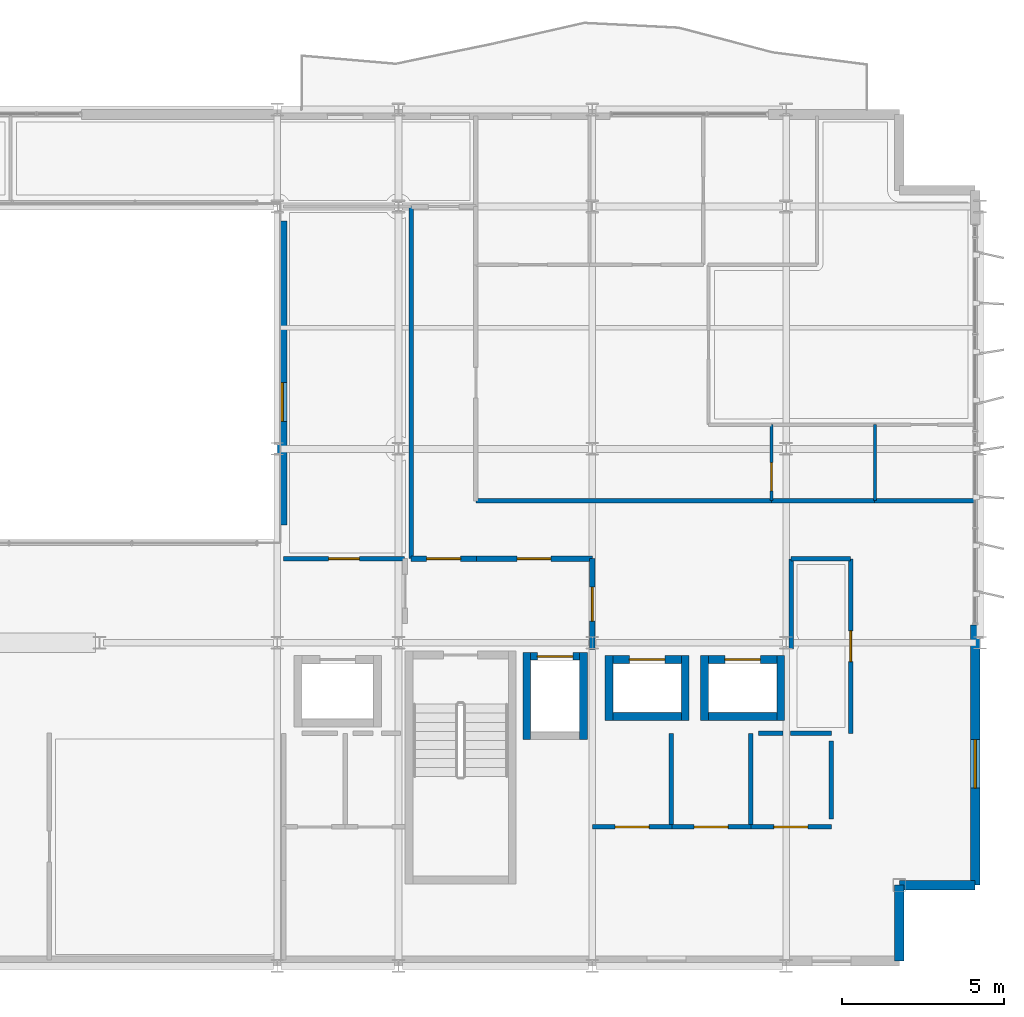
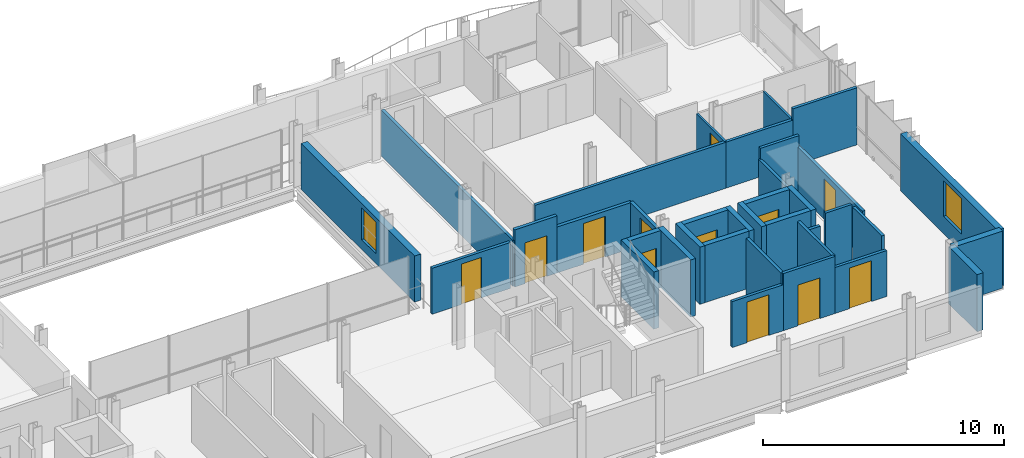
# One storey, part 31 of 38: 36 walls, 12 doors, 2 windows, 14 openings.
"""IFC4 building model written with IfcOpenShell, lengths in metres."""

from ifc_helpers import new_model, si_unit, direction, frame, frame_2d, origin, place, context, subcontext, project, spatial, rectangle, extrude, material, layer, layer_set, type_object, element, fill, save


model = new_model("IFC4")

# Units and contexts
model_context = context("Model", 3, precision=1e-05, world=origin(), true_north=direction((0.0, 1.0)))
body_context = subcontext(model_context, "Body", "Model", "MODEL_VIEW")
ifc_project = project(units=[si_unit("LENGTHUNIT", "METRE"), si_unit("AREAUNIT", "SQUARE_METRE"), si_unit("VOLUMEUNIT", "CUBIC_METRE"), si_unit("PLANEANGLEUNIT", "RADIAN"), si_unit("MASSUNIT", "GRAM", prefix="KILO")], contexts=[model_context])

# Site, building, storey
site_placement = place(None, origin())
site = spatial("IfcSite", under=ifc_project, at=site_placement, CompositionType="ELEMENT")
building_placement = place(site_placement, origin())
building = spatial("IfcBuilding", under=site, at=building_placement, Name="Brevholm Reach", CompositionType="ELEMENT")
storey_placement = place(building_placement, frame((0.0, 0.0, 186.300048828125)))
storey = spatial("IfcBuildingStorey", under=building, at=storey_placement, Name="L56", CompositionType="ELEMENT", Elevation=186.300048828125)

# Walls
ifc_material_1 = material(Name="Concrete C45/55", Category="concrete")
ifc_layer_1 = layer(ifc_material_1, 0.239990234375)
ifc_layer_set_1 = layer_set([ifc_layer_1], Name="Concrete C45/55")
wall_type_1 = type_object("IfcWallType", Name="WAL-COR-240", PredefinedType="SHEAR", material=ifc_layer_set_1)
for number, where, z_axis, x_axis, name in (
    (1, (45.969970703125, 7.0, 0.0), (0.0, 0.0, 1.0), (0.0, 1.0, 0.0), "L56 Lift FFL-2 Shaft Wall W"),
    (2, (47.72998046875, 7.0, 0.0), (0.0, 0.0, 1.0), (0.0, 1.0, 0.0), "L56 Lift FFL-2 Shaft Wall E"),
):
    element("IfcWall", number, at=place(storey_placement, frame(where, z_axis=z_axis, x_axis=x_axis)), inside=storey, type_object=wall_type_1, Name=name, PredefinedType="SHEAR", context=body_context, shape_type="SweptSolid", body=[
        extrude(rectangle(XDim=2.699951171875, YDim=0.239990234375, at=frame_2d((1.35009765625, 0.0))), origin(), (0.0, 0.0, 1.0), 2.889892578125),
    ])

# Wall, opening, door
wall_1_placement = place(storey_placement, frame((46.090087890625, 9.580078125, 0.0), z_axis=(0.0, 0.0, 1.0), x_axis=(1.0, 0.0, 0.0)))
wall_1 = element("IfcWall", 3, at=wall_1_placement, inside=storey, type_object=wall_type_1, Name="L56 Lift FFL-2 Shaft Wall N", PredefinedType="SHEAR", context=body_context, shape_type="SweptSolid", body=[
    extrude(rectangle(XDim=1.52001953125, YDim=0.239990234375, at=frame_2d((0.760009765625, 0.0))), origin(), (0.0, 0.0, 1.0), 2.889892578125),
])
opening_1_placement = place(wall_1_placement, frame((0.2099609375, 0.0, 0.0)))
opening_1 = element("IfcOpeningElement", 4, at=opening_1_placement, cuts=wall_1, Name="Opening LD-FFL-2", PredefinedType="OPENING", context=body_context, shape_type="SweptSolid", body=[
    extrude(rectangle(XDim=1.10009765625, YDim=2.06005859375, at=frame_2d((0.550048828125, 1.030029296875))), frame((0.0, 0.1298828125, 0.0), z_axis=(0.0, -1.0, 0.0), x_axis=(1.0, 0.0, 0.0)), (0.0, 0.0, 1.0), 0.260009765625),
])
ifc_material_2 = material(Name="Brushed Stainless Steel Fire-Rated Sliding Lift Door", Category="steel")
door_type_1 = type_object("IfcDoorType", Name="DOR-LFT-1100", OperationType="NOTDEFINED", PredefinedType="DOOR", material=ifc_material_2)
door_1_placement = place(opening_1_placement, origin())
door_1 = element("IfcDoor", 5, at=door_1_placement, inside=storey, type_object=door_type_1, Name="L56 Lift FFL-2 Sliding Landing Door", OperationType="SLIDING_TO_LEFT", OverallHeight=2.06005859375, OverallWidth=1.10009765625, PredefinedType="DOOR", context=body_context, shape_type="SweptSolid", body=[
    extrude(rectangle(XDim=1.10009765625, YDim=2.06005859375, at=frame_2d((0.550048828125, 1.030029296875))), frame((0.0, 0.02490234375, 0.0), z_axis=(0.0, -1.0, 0.0), x_axis=(1.0, 0.0, 0.0)), (0.0, 0.0, 1.0), 0.050048828125),
])
fill(opening_1, door_1)

# Walls
for number, where, z_axis, x_axis, name in (
    (6, (48.52001953125, 7.60009765625, 0.0), (0.0, 0.0, 1.0), (0.0, 1.0, 0.0), "L56 Lift PL-H1 Shaft Wall W"),
    (7, (50.8798828125, 7.60009765625, 0.0), (0.0, 0.0, 1.0), (0.0, 1.0, 0.0), "L56 Lift PL-H1 Shaft Wall E"),
):
    element("IfcWall", number, at=place(storey_placement, frame(where, z_axis=z_axis, x_axis=x_axis)), inside=storey, type_object=wall_type_1, Name=name, PredefinedType="SHEAR", context=body_context, shape_type="SweptSolid", body=[
        extrude(rectangle(XDim=2.0, YDim=0.239990234375, at=frame_2d((1.0, 0.0))), origin(), (0.0, 0.0, 1.0), 2.889892578125),
    ])
wall_2_placement = place(storey_placement, frame((48.639892578125, 7.719970703125, 0.0), z_axis=(0.0, 0.0, 1.0), x_axis=(1.0, 0.0, 0.0)))
element("IfcWall", 8, at=wall_2_placement, inside=storey, type_object=wall_type_1, Name="L56 Lift PL-H1 Shaft Wall S", PredefinedType="SHEAR", context=body_context, shape_type="SweptSolid", body=[
    extrude(rectangle(XDim=2.1201171875, YDim=0.239990234375, at=frame_2d((1.06005859375, 0.0))), origin(), (0.0, 0.0, 1.0), 2.889892578125),
])

# Wall, opening, door
wall_3_placement = place(storey_placement, frame((48.639892578125, 9.47998046875, 0.0), z_axis=(0.0, 0.0, 1.0), x_axis=(1.0, 0.0, 0.0)))
wall_3 = element("IfcWall", 9, at=wall_3_placement, inside=storey, type_object=wall_type_1, Name="L56 Lift PL-H1 Shaft Wall N", PredefinedType="SHEAR", context=body_context, shape_type="SweptSolid", body=[
    extrude(rectangle(XDim=2.1201171875, YDim=0.239990234375, at=frame_2d((1.06005859375, 0.0))), origin(), (0.0, 0.0, 1.0), 2.889892578125),
])
opening_2_placement = place(wall_3_placement, frame((0.510009765625, 0.0, 0.0)))
opening_2 = element("IfcOpeningElement", 10, at=opening_2_placement, cuts=wall_3, Name="Opening LD-PL-H1", PredefinedType="OPENING", context=body_context, shape_type="SweptSolid", body=[
    extrude(rectangle(XDim=1.10009765625, YDim=2.06005859375, at=frame_2d((0.550048828125, 1.030029296875))), frame((0.0, 0.1298828125, 0.0), z_axis=(0.0, -1.0, 0.0), x_axis=(1.0, 0.0, 0.0)), (0.0, 0.0, 1.0), 0.260009765625),
])
door_2_placement = place(opening_2_placement, origin())
door_2 = element("IfcDoor", 11, at=door_2_placement, inside=storey, type_object=door_type_1, Name="L56 Lift PL-H1 Sliding Landing Door", OperationType="SLIDING_TO_LEFT", OverallHeight=2.06005859375, OverallWidth=1.10009765625, PredefinedType="DOOR", context=body_context, shape_type="SweptSolid", body=[
    extrude(rectangle(XDim=1.10009765625, YDim=2.06005859375, at=frame_2d((0.550048828125, 1.030029296875))), frame((0.0, 0.02490234375, 0.0), z_axis=(0.0, -1.0, 0.0), x_axis=(1.0, 0.0, 0.0)), (0.0, 0.0, 1.0), 0.050048828125),
])
fill(opening_2, door_2)

# Walls
for number, where, z_axis, x_axis, name in (
    (12, (51.469970703125, 7.60009765625, 0.0), (0.0, 0.0, 1.0), (0.0, 1.0, 0.0), "L56 Lift PL-H2 Shaft Wall W"),
    (13, (53.830078125, 7.60009765625, 0.0), (0.0, 0.0, 1.0), (0.0, 1.0, 0.0), "L56 Lift PL-H2 Shaft Wall E"),
):
    element("IfcWall", number, at=place(storey_placement, frame(where, z_axis=z_axis, x_axis=x_axis)), inside=storey, type_object=wall_type_1, Name=name, PredefinedType="SHEAR", context=body_context, shape_type="SweptSolid", body=[
        extrude(rectangle(XDim=2.0, YDim=0.239990234375, at=frame_2d((1.0, 0.0))), origin(), (0.0, 0.0, 1.0), 2.889892578125),
    ])
wall_4_placement = place(storey_placement, frame((51.590087890625, 7.719970703125, 0.0), z_axis=(0.0, 0.0, 1.0), x_axis=(1.0, 0.0, 0.0)))
element("IfcWall", 14, at=wall_4_placement, inside=storey, type_object=wall_type_1, Name="L56 Lift PL-H2 Shaft Wall S", PredefinedType="SHEAR", context=body_context, shape_type="SweptSolid", body=[
    extrude(rectangle(XDim=2.119873046875, YDim=0.239990234375, at=frame_2d((1.06005859375, 0.0))), origin(), (0.0, 0.0, 1.0), 2.889892578125),
])

# Wall, opening, door
wall_5_placement = place(storey_placement, frame((51.590087890625, 9.47998046875, 0.0), z_axis=(0.0, 0.0, 1.0), x_axis=(1.0, 0.0, 0.0)))
wall_5 = element("IfcWall", 15, at=wall_5_placement, inside=storey, type_object=wall_type_1, Name="L56 Lift PL-H2 Shaft Wall N", PredefinedType="SHEAR", context=body_context, shape_type="SweptSolid", body=[
    extrude(rectangle(XDim=2.119873046875, YDim=0.239990234375, at=frame_2d((1.06005859375, 0.0))), origin(), (0.0, 0.0, 1.0), 2.889892578125),
])
opening_3_placement = place(wall_5_placement, frame((0.510009765625, 0.0, 0.0)))
opening_3 = element("IfcOpeningElement", 16, at=opening_3_placement, cuts=wall_5, Name="Opening LD-PL-H2", PredefinedType="OPENING", context=body_context, shape_type="SweptSolid", body=[
    extrude(rectangle(XDim=1.10009765625, YDim=2.06005859375, at=frame_2d((0.550048828125, 1.030029296875))), frame((0.0, 0.1298828125, 0.0), z_axis=(0.0, -1.0, 0.0), x_axis=(1.0, 0.0, 0.0)), (0.0, 0.0, 1.0), 0.260009765625),
])
door_3_placement = place(opening_3_placement, origin())
door_3 = element("IfcDoor", 17, at=door_3_placement, inside=storey, type_object=door_type_1, Name="L56 Lift PL-H2 Sliding Landing Door", OperationType="SLIDING_TO_RIGHT", OverallHeight=2.06005859375, OverallWidth=1.10009765625, PredefinedType="DOOR", context=body_context, shape_type="SweptSolid", body=[
    extrude(rectangle(XDim=1.10009765625, YDim=2.06005859375, at=frame_2d((0.550048828125, 1.030029296875))), frame((0.0, 0.02490234375, 0.0), z_axis=(0.0, -1.0, 0.0), x_axis=(1.0, 0.0, 0.0)), (0.0, 0.0, 1.0), 0.050048828125),
])
fill(opening_3, door_3)

# Walls
ifc_material_3 = material(Name="Concrete C40/50", Category="concrete")
ifc_layer_2 = layer(ifc_material_3, 0.300048828125)
ifc_layer_set_2 = layer_set([ifc_layer_2], Name="Concrete C40/50")
wall_type_2 = type_object("IfcWallType", Name="WAL-EXT-300", PredefinedType="STANDARD", material=ifc_layer_set_2)
for number, where, z_axis, x_axis, name in (
    (18, (57.5, 0.14990234375, 0.0), (0.0, 0.0, 1.0), (0.0, 1.0, 0.0), "L56 Facade Wall WAL-L56-CSE1"),
    (19, (57.5, 2.5, 0.0), (0.0, 0.0, 1.0), (1.0, 0.0, 0.0), "L56 Facade Wall WAL-L56-CSE2"),
):
    element("IfcWall", number, at=place(storey_placement, frame(where, z_axis=z_axis, x_axis=x_axis)), inside=storey, type_object=wall_type_2, Name=name, PredefinedType="STANDARD", context=body_context, shape_type="SweptSolid", body=[
        extrude(rectangle(XDim=2.35009765625, YDim=0.300048828125, at=frame_2d((1.175048828125, 0.0))), origin(), (0.0, 0.0, 1.0), 2.889892578125),
    ])

# Wall, opening, window
wall_6_placement = place(storey_placement, frame((59.85009765625, 2.5, 0.0), z_axis=(0.0, 0.0, 1.0), x_axis=(0.0, 1.0, 0.0)))
wall_6 = element("IfcWall", 20, at=wall_6_placement, inside=storey, type_object=wall_type_2, Name="L56 Facade Wall WAL-L56-E-S", PredefinedType="STANDARD", context=body_context, shape_type="SweptSolid", body=[
    extrude(rectangle(XDim=8.050048828125, YDim=0.300048828125, at=frame_2d((4.02490234375, 0.0))), origin(), (0.0, 0.0, 1.0), 2.889892578125),
])
opening_4_placement = place(wall_6_placement, frame((3.0, 0.0, 0.8701171875)))
opening_4 = element("IfcOpeningElement", 21, at=opening_4_placement, cuts=wall_6, Name="Opening WN-05", PredefinedType="OPENING", context=body_context, shape_type="SweptSolid", body=[
    extrude(rectangle(XDim=1.5, YDim=1.800048828125, at=frame_2d((0.75, 0.89990234375))), frame((0.0, 0.159912109375, 0.0), z_axis=(0.0, -1.0, 0.0), x_axis=(1.0, 0.0, 0.0)), (0.0, 0.0, 1.0), 0.320068359375),
])
ifc_material_4 = material(Name="Dark Anodised Aluminium and Solar-Control IGU Glass", Category="aluminium")
window_type_1 = type_object("IfcWindowType", Name="WIN-RES-1500", PartitioningType="SINGLE_PANEL", PredefinedType="WINDOW", material=ifc_material_4)
window_1_placement = place(opening_4_placement, origin())
window_1 = element("IfcWindow", 22, at=window_1_placement, inside=storey, type_object=window_type_1, Name="L56 Window WIN-L56-ES-1", OverallHeight=1.800048828125, OverallWidth=1.5, PartitioningType="SINGLE_PANEL", PredefinedType="WINDOW", context=body_context, shape_type="SweptSolid", body=[
    extrude(rectangle(XDim=1.5, YDim=1.800048828125, at=frame_2d((0.75, 0.89990234375))), frame((0.0, 0.030029296875, 0.0), z_axis=(0.0, -1.0, 0.0), x_axis=(1.0, 0.0, 0.0)), (0.0, 0.0, 1.0), 0.06005859375),
])
fill(opening_4, window_1)

wall_7_placement = place(storey_placement, frame((38.39990234375, 13.64990234375, 0.0), z_axis=(0.0, 0.0, 1.0), x_axis=(0.0, 1.0, 0.0)))
wall_7 = element("IfcWall", 23, at=wall_7_placement, inside=storey, type_object=wall_type_2, Name="L56 Facade Wall WAL-L56-AT-E", PredefinedType="STANDARD", context=body_context, shape_type="SweptSolid", body=[
    extrude(rectangle(XDim=9.400146484375, YDim=0.300048828125, at=frame_2d((4.7001953125, 0.0))), origin(), (0.0, 0.0, 1.0), 2.331787109375),
])
opening_5_placement = place(wall_7_placement, frame((3.199951171875, 0.0, 0.5)))
opening_5 = element("IfcOpeningElement", 24, at=opening_5_placement, cuts=wall_7, Name="Opening WN-08", PredefinedType="OPENING", context=body_context, shape_type="SweptSolid", body=[
    extrude(rectangle(XDim=1.199951171875, YDim=1.60009765625, at=frame_2d((0.60009765625, 0.800048828125))), frame((0.0, 0.159912109375, 0.0), z_axis=(0.0, -1.0, 0.0), x_axis=(1.0, 0.0, 0.0)), (0.0, 0.0, 1.0), 0.320068359375),
])
ifc_material_5 = material(Name="Dark Anodised Aluminium and Solar-Control IGU Glass", Category="aluminium")
window_type_2 = type_object("IfcWindowType", Name="WIN-RES-1200", PartitioningType="SINGLE_PANEL", PredefinedType="WINDOW", material=ifc_material_5)
window_2_placement = place(opening_5_placement, origin())
window_2 = element("IfcWindow", 25, at=window_2_placement, inside=storey, type_object=window_type_2, Name="L56 Window WIN-L56-AT-E1", OverallHeight=1.60009765625, OverallWidth=1.199951171875, PartitioningType="SINGLE_PANEL", PredefinedType="WINDOW", context=body_context, shape_type="SweptSolid", body=[
    extrude(rectangle(XDim=1.199951171875, YDim=1.60009765625, at=frame_2d((0.60009765625, 0.800048828125))), frame((0.0, 0.030029296875, 0.0), z_axis=(0.0, -1.0, 0.0), x_axis=(1.0, 0.0, 0.0)), (0.0, 0.0, 1.0), 0.06005859375),
])
fill(opening_5, window_2)

# Wall
ifc_material_6 = material(Name="Moisture-Resistant Acoustic Gypsum Stud Partition 100 mm", Category="gypsum")
ifc_layer_3 = layer(ifc_material_6, 0.10009765625)
ifc_layer_set_3 = layer_set([ifc_layer_3], Name="Moisture-Resistant Acoustic Gypsum Stud Partition 100 mm")
wall_type_3 = type_object("IfcWallType", Name="WAL-PRT-100", PredefinedType="PARTITIONING", material=ifc_layer_set_3)
wall_8_placement = place(storey_placement, frame((56.75, 14.404052734375, 0.0), z_axis=(0.0, 0.0, 1.0), x_axis=(0.0, 1.0, 0.0)))
element("IfcWall", 26, at=wall_8_placement, inside=storey, type_object=wall_type_3, Name="L56 Internal Partition 088", PredefinedType="PARTITIONING", context=body_context, shape_type="SweptSolid", body=[
    extrude(rectangle(XDim=2.345947265625, YDim=0.10009765625, at=frame_2d((1.1728515625, 0.0))), origin(), (0.0, 0.0, 1.0), 2.325439453125),
])

# Wall, opening, door
wall_9_placement = place(storey_placement, frame((53.550048828125, 14.404052734375, 0.0), z_axis=(0.0, 0.0, 1.0), x_axis=(0.0, 1.0, 0.0)))
wall_9 = element("IfcWall", 27, at=wall_9_placement, inside=storey, type_object=wall_type_3, Name="L56 Internal Partition 091", PredefinedType="PARTITIONING", context=body_context, shape_type="SweptSolid", body=[
    extrude(rectangle(XDim=2.345947265625, YDim=0.10009765625, at=frame_2d((1.1728515625, 0.0))), origin(), (0.0, 0.0, 1.0), 2.325439453125),
])
opening_6_placement = place(wall_9_placement, frame((0.29296875, 0.0, 0.0)))
opening_6 = element("IfcOpeningElement", 28, at=opening_6_placement, cuts=wall_9, Name="Opening ID-01", PredefinedType="OPENING", context=body_context, shape_type="SweptSolid", body=[
    extrude(rectangle(XDim=0.8798828125, YDim=2.0400390625, at=frame_2d((0.43994140625, 1.02001953125))), frame((0.0, 0.06005859375, 0.0), z_axis=(0.0, -1.0, 0.0), x_axis=(1.0, 0.0, 0.0)), (0.0, 0.0, 1.0), 0.1201171875),
])
ifc_material_7 = material(Name="Lacquered Ash Solid-Core Acoustic Internal Door", Category="timber")
door_type_2 = type_object("IfcDoorType", Name="DOR-INT-880", OperationType="NOTDEFINED", PredefinedType="DOOR", material=ifc_material_7)
door_4_placement = place(opening_6_placement, origin())
door_4 = element("IfcDoor", 29, at=door_4_placement, inside=storey, type_object=door_type_2, Name="L56 Internal Door 039", OperationType="SINGLE_SWING_RIGHT", OverallHeight=2.0400390625, OverallWidth=0.8798828125, PredefinedType="DOOR", context=body_context, shape_type="SweptSolid", body=[
    extrude(rectangle(XDim=0.8798828125, YDim=2.0400390625, at=frame_2d((0.43994140625, 1.02001953125))), frame((0.0, 0.02490234375, 0.0), z_axis=(0.0, -1.0, 0.0), x_axis=(1.0, 0.0, 0.0)), (0.0, 0.0, 1.0), 0.050048828125),
])
fill(opening_6, door_4)

ifc_material_8 = material(Name="Twin-Stud Acoustic Fire-Rated Gypsum Partition 140 mm", Category="gypsum")
ifc_layer_4 = layer(ifc_material_8, 0.139892578125)
ifc_layer_set_4 = layer_set([ifc_layer_4], Name="Twin-Stud Acoustic Fire-Rated Gypsum Partition 140 mm")
wall_type_4 = type_object("IfcWallType", Name="WAL-PRT-140", PredefinedType="PARTITIONING", material=ifc_layer_set_4)
wall_10_placement = place(storey_placement, frame((56.0, 7.188720703125, 0.0), z_axis=(0.0, 0.0, 1.0), x_axis=(0.0, 1.0, 0.0)))
wall_10 = element("IfcWall", 30, at=wall_10_placement, inside=storey, type_object=wall_type_4, Name="L56 Internal Partition 013", PredefinedType="PARTITIONING", context=body_context, shape_type="SweptSolid", body=[
    extrude(rectangle(XDim=5.411376953125, YDim=0.139892578125, at=frame_2d((2.70556640625, 0.0))), origin(), (0.0, 0.0, 1.0), 2.325439453125),
])
opening_7_placement = place(wall_10_placement, frame((2.230712890625, 0.0, 0.0)))
opening_7 = element("IfcOpeningElement", 31, at=opening_7_placement, cuts=wall_10, Name="Opening ID-30", PredefinedType="OPENING", context=body_context, shape_type="SweptSolid", body=[
    extrude(rectangle(XDim=0.949951171875, YDim=2.050048828125, at=frame_2d((0.47509765625, 1.02490234375))), frame((0.0, 0.079833984375, 0.0), z_axis=(0.0, -1.0, 0.0), x_axis=(1.0, 0.0, 0.0)), (0.0, 0.0, 1.0), 0.159912109375),
])
ifc_material_9 = material(Name="European Oak Veneered Solid-Core Fire Entrance Door", Category="timber")
door_type_3 = type_object("IfcDoorType", Name="DOR-FLT-FD30S", OperationType="NOTDEFINED", PredefinedType="DOOR", material=ifc_material_9)
door_5_placement = place(opening_7_placement, origin())
door_5 = element("IfcDoor", 32, at=door_5_placement, inside=storey, type_object=door_type_3, Name="L56 Internal Door 006", OperationType="SINGLE_SWING_LEFT", OverallHeight=2.050048828125, OverallWidth=0.949951171875, PredefinedType="DOOR", context=body_context, shape_type="SweptSolid", body=[
    extrude(rectangle(XDim=0.949951171875, YDim=2.050048828125, at=frame_2d((0.47509765625, 1.02490234375))), frame((0.0, 0.02490234375, 0.0), z_axis=(0.0, -1.0, 0.0), x_axis=(1.0, 0.0, 0.0)), (0.0, 0.0, 1.0), 0.050048828125),
])
fill(opening_7, door_5)

wall_11_placement = place(storey_placement, frame((48.0, 4.300048828125, 0.0), z_axis=(0.0, 0.0, 1.0), x_axis=(1.0, 0.0, 0.0)))
wall_11 = element("IfcWall", 33, at=wall_11_placement, inside=storey, type_object=wall_type_4, Name="L56 Internal Partition 021", PredefinedType="PARTITIONING", context=body_context, shape_type="SweptSolid", body=[
    extrude(rectangle(XDim=2.461181640625, YDim=0.139892578125, at=frame_2d((1.23046875, 0.0))), origin(), (0.0, 0.0, 1.0), 2.325439453125),
])
opening_8_placement = place(wall_11_placement, frame((0.705810546875, 0.0, 0.0)))
opening_8 = element("IfcOpeningElement", 34, at=opening_8_placement, cuts=wall_11, Name="Opening FD-01", PredefinedType="OPENING", context=body_context, shape_type="SweptSolid", body=[
    extrude(rectangle(XDim=1.050048828125, YDim=2.06005859375, at=frame_2d((0.52490234375, 1.030029296875))), frame((0.0, 0.079833984375, 0.0), z_axis=(0.0, -1.0, 0.0), x_axis=(1.0, 0.0, 0.0)), (0.0, 0.0, 1.0), 0.159912109375),
])
ifc_material_10 = material(Name="Hardwood-Lipped Steel-Core Fire and Smoke Door", Category="steel")
door_type_4 = type_object("IfcDoorType", Name="DOR-INT-FD60S", OperationType="NOTDEFINED", PredefinedType="DOOR", material=ifc_material_10)
door_6_placement = place(opening_8_placement, origin())
door_6 = element("IfcDoor", 35, at=door_6_placement, inside=storey, type_object=door_type_4, Name="L56 Internal Door 010", OperationType="SINGLE_SWING_LEFT", OverallHeight=2.06005859375, OverallWidth=1.050048828125, PredefinedType="DOOR", context=body_context, shape_type="SweptSolid", body=[
    extrude(rectangle(XDim=1.050048828125, YDim=2.06005859375, at=frame_2d((0.52490234375, 1.030029296875))), frame((0.0, 0.02490234375, 0.0), z_axis=(0.0, -1.0, 0.0), x_axis=(1.0, 0.0, 0.0)), (0.0, 0.0, 1.0), 0.050048828125),
])
fill(opening_8, door_6)

wall_12_placement = place(storey_placement, frame((50.442626953125, 4.300048828125, 0.0), z_axis=(0.0, 0.0, 1.0), x_axis=(1.0, 0.0, 0.0)))
wall_12 = element("IfcWall", 36, at=wall_12_placement, inside=storey, type_object=wall_type_4, Name="L56 Internal Partition 022", PredefinedType="PARTITIONING", context=body_context, shape_type="SweptSolid", body=[
    extrude(rectangle(XDim=2.46875, YDim=0.139892578125, at=frame_2d((1.234375, 0.0))), origin(), (0.0, 0.0, 1.0), 2.889892578125),
])
opening_9_placement = place(wall_12_placement, frame((0.709228515625, 0.0, 0.0)))
opening_9 = element("IfcOpeningElement", 37, at=opening_9_placement, cuts=wall_12, Name="Opening FD-01", PredefinedType="OPENING", context=body_context, shape_type="SweptSolid", body=[
    extrude(rectangle(XDim=1.050048828125, YDim=2.06005859375, at=frame_2d((0.52490234375, 1.030029296875))), frame((0.0, 0.079833984375, 0.0), z_axis=(0.0, -1.0, 0.0), x_axis=(1.0, 0.0, 0.0)), (0.0, 0.0, 1.0), 0.159912109375),
])
door_7_placement = place(opening_9_placement, origin())
door_7 = element("IfcDoor", 38, at=door_7_placement, inside=storey, type_object=door_type_4, Name="L56 Internal Door 011", OperationType="SINGLE_SWING_RIGHT", OverallHeight=2.06005859375, OverallWidth=1.050048828125, PredefinedType="DOOR", context=body_context, shape_type="SweptSolid", body=[
    extrude(rectangle(XDim=1.050048828125, YDim=2.06005859375, at=frame_2d((0.52490234375, 1.030029296875))), frame((0.0, 0.02490234375, 0.0), z_axis=(0.0, -1.0, 0.0), x_axis=(1.0, 0.0, 0.0)), (0.0, 0.0, 1.0), 0.050048828125),
])
fill(opening_9, door_7)

wall_13_placement = place(storey_placement, frame((52.892578125, 4.300048828125, 0.0), z_axis=(0.0, 0.0, 1.0), x_axis=(1.0, 0.0, 0.0)))
wall_13 = element("IfcWall", 39, at=wall_13_placement, inside=storey, type_object=wall_type_4, Name="L56 Internal Partition 023", PredefinedType="PARTITIONING", context=body_context, shape_type="SweptSolid", body=[
    extrude(rectangle(XDim=2.50732421875, YDim=0.139892578125, at=frame_2d((1.253662109375, 0.0))), origin(), (0.0, 0.0, 1.0), 2.325439453125),
])
opening_10_placement = place(wall_13_placement, frame((0.728759765625, 0.0, 0.0)))
opening_10 = element("IfcOpeningElement", 40, at=opening_10_placement, cuts=wall_13, Name="Opening FD-01", PredefinedType="OPENING", context=body_context, shape_type="SweptSolid", body=[
    extrude(rectangle(XDim=1.050048828125, YDim=2.06005859375, at=frame_2d((0.52490234375, 1.030029296875))), frame((0.0, 0.079833984375, 0.0), z_axis=(0.0, -1.0, 0.0), x_axis=(1.0, 0.0, 0.0)), (0.0, 0.0, 1.0), 0.159912109375),
])
door_8_placement = place(opening_10_placement, origin())
door_8 = element("IfcDoor", 41, at=door_8_placement, inside=storey, type_object=door_type_4, Name="L56 Internal Door 012", OperationType="SINGLE_SWING_LEFT", OverallHeight=2.06005859375, OverallWidth=1.050048828125, PredefinedType="DOOR", context=body_context, shape_type="SweptSolid", body=[
    extrude(rectangle(XDim=1.050048828125, YDim=2.06005859375, at=frame_2d((0.52490234375, 1.030029296875))), frame((0.0, 0.02490234375, 0.0), z_axis=(0.0, -1.0, 0.0), x_axis=(1.0, 0.0, 0.0)), (0.0, 0.0, 1.0), 0.050048828125),
])
fill(opening_10, door_8)

# Walls
for number, where, z_axis, x_axis, name in (
    (42, (50.449951171875, 4.303955078125, 0.0), (0.0, 0.0, 1.0), (0.0, 1.0, 0.0), "L56 Internal Partition 024"),
    (43, (52.89990234375, 4.303955078125, 0.0), (0.0, 0.0, 1.0), (0.0, 1.0, 0.0), "L56 Internal Partition 025"),
):
    element("IfcWall", number, at=place(storey_placement, frame(where, z_axis=z_axis, x_axis=x_axis)), inside=storey, type_object=wall_type_4, Name=name, PredefinedType="PARTITIONING", context=body_context, shape_type="SweptSolid", body=[
        extrude(rectangle(XDim=2.89599609375, YDim=0.139892578125, at=frame_2d((1.447998046875, 0.0))), origin(), (0.0, 0.0, 1.0), 2.889892578125),
    ])
wall_14_placement = place(storey_placement, frame((54.138671875, 7.199951171875, 0.0), z_axis=(0.0, 0.0, 1.0), x_axis=(1.0, 0.0, 0.0)))
element("IfcWall", 44, at=wall_14_placement, inside=storey, type_object=wall_type_4, Name="L56 Internal Partition 026", PredefinedType="PARTITIONING", context=body_context, shape_type="SweptSolid", body=[
    extrude(rectangle(XDim=1.26123046875, YDim=0.139892578125, at=frame_2d((0.630615234375, 0.0))), origin(), (0.0, 0.0, 1.0), 2.889892578125),
])
wall_15_placement = place(storey_placement, frame((54.14990234375, 9.800048828125, 0.0), z_axis=(0.0, 0.0, 1.0), x_axis=(0.0, 1.0, 0.0)))
element("IfcWall", 45, at=wall_15_placement, inside=storey, type_object=wall_type_4, Name="L56 Internal Partition 038", PredefinedType="PARTITIONING", context=body_context, shape_type="SweptSolid", body=[
    extrude(rectangle(XDim=2.800048828125, YDim=0.139892578125, at=frame_2d((1.39990234375, 0.0))), origin(), (0.0, 0.0, 1.0), 2.325439453125),
])
wall_16_placement = place(storey_placement, frame((54.154052734375, 12.60009765625, 0.0), z_axis=(0.0, 0.0, 1.0), x_axis=(1.0, 0.0, 0.0)))
element("IfcWall", 46, at=wall_16_placement, inside=storey, type_object=wall_type_4, Name="L56 Internal Partition 039", PredefinedType="PARTITIONING", context=body_context, shape_type="SweptSolid", body=[
    extrude(rectangle(XDim=1.842041015625, YDim=0.139892578125, at=frame_2d((0.9208984375, 0.0))), origin(), (0.0, 0.0, 1.0), 2.889892578125),
])

# Wall, opening, door
wall_17_placement = place(storey_placement, frame((38.438720703125, 12.60009765625, 0.0), z_axis=(0.0, 0.0, 1.0), x_axis=(1.0, 0.0, 0.0)))
wall_17 = element("IfcWall", 47, at=wall_17_placement, inside=storey, type_object=wall_type_4, Name="L56 Internal Partition 040", PredefinedType="PARTITIONING", context=body_context, shape_type="SweptSolid", body=[
    extrude(rectangle(XDim=3.75732421875, YDim=0.139892578125, at=frame_2d((1.878662109375, 0.0))), origin(), (0.0, 0.0, 1.0), 2.325439453125),
])
opening_11_placement = place(wall_17_placement, frame((1.40380859375, 0.0, 0.0)))
opening_11 = element("IfcOpeningElement", 48, at=opening_11_placement, cuts=wall_17, Name="Opening ID-30", PredefinedType="OPENING", context=body_context, shape_type="SweptSolid", body=[
    extrude(rectangle(XDim=0.949951171875, YDim=2.050048828125, at=frame_2d((0.47509765625, 1.02490234375))), frame((0.0, 0.079833984375, 0.0), z_axis=(0.0, -1.0, 0.0), x_axis=(1.0, 0.0, 0.0)), (0.0, 0.0, 1.0), 0.159912109375),
])
door_9_placement = place(opening_11_placement, origin())
door_9 = element("IfcDoor", 49, at=door_9_placement, inside=storey, type_object=door_type_3, Name="L56 Internal Door 020", OperationType="SINGLE_SWING_LEFT", OverallHeight=2.050048828125, OverallWidth=0.949951171875, PredefinedType="DOOR", context=body_context, shape_type="SweptSolid", body=[
    extrude(rectangle(XDim=0.949951171875, YDim=2.050048828125, at=frame_2d((0.47509765625, 1.02490234375))), frame((0.0, 0.02490234375, 0.0), z_axis=(0.0, -1.0, 0.0), x_axis=(1.0, 0.0, 0.0)), (0.0, 0.0, 1.0), 0.050048828125),
])
fill(opening_11, door_9)

# Walls
wall_18_placement = place(storey_placement, frame((42.39990234375, 12.60400390625, 0.0), z_axis=(0.0, 0.0, 1.0), x_axis=(0.0, 1.0, 0.0)))
element("IfcWall", 50, at=wall_18_placement, inside=storey, type_object=wall_type_4, Name="L56 Internal Partition 049", PredefinedType="PARTITIONING", context=body_context, shape_type="SweptSolid", body=[
    extrude(rectangle(XDim=10.89599609375, YDim=0.139892578125, at=frame_2d((5.447998046875, 0.0))), origin(), (0.0, 0.0, 1.0), 2.325439453125),
])
wall_19_placement = place(storey_placement, frame((56.73876953125, 14.39990234375, 0.0), z_axis=(0.0, 0.0, 1.0), x_axis=(1.0, 0.0, 0.0)))
element("IfcWall", 51, at=wall_19_placement, inside=storey, type_object=wall_type_4, Name="L56 Internal Partition 051", PredefinedType="PARTITIONING", context=body_context, shape_type="SweptSolid", body=[
    extrude(rectangle(XDim=3.072509765625, YDim=0.139892578125, at=frame_2d((1.5361328125, 0.0))), origin(), (0.0, 0.0, 1.0), 2.889892578125),
])
wall_20_placement = place(storey_placement, frame((53.538818359375, 14.39990234375, 0.0), z_axis=(0.0, 0.0, 1.0), x_axis=(1.0, 0.0, 0.0)))
element("IfcWall", 52, at=wall_20_placement, inside=storey, type_object=wall_type_4, Name="L56 Internal Partition 052", PredefinedType="PARTITIONING", context=body_context, shape_type="SweptSolid", body=[
    extrude(rectangle(XDim=3.218505859375, YDim=0.139892578125, at=frame_2d((1.609375, 0.0))), origin(), (0.0, 0.0, 1.0), 2.325439453125),
])
wall_21_placement = place(storey_placement, frame((44.404052734375, 14.39990234375, 0.0), z_axis=(0.0, 0.0, 1.0), x_axis=(1.0, 0.0, 0.0)))
element("IfcWall", 53, at=wall_21_placement, inside=storey, type_object=wall_type_4, Name="L56 Internal Partition 053", PredefinedType="PARTITIONING", context=body_context, shape_type="SweptSolid", body=[
    extrude(rectangle(XDim=9.1533203125, YDim=0.139892578125, at=frame_2d((4.57666015625, 0.0))), origin(), (0.0, 0.0, 1.0), 2.325439453125),
])
wall_22_placement = place(storey_placement, frame((55.39990234375, 4.5400390625, 0.0), z_axis=(0.0, 0.0, 1.0), x_axis=(0.0, 1.0, 0.0)))
element("IfcWall", 54, at=wall_22_placement, inside=storey, type_object=wall_type_4, Name="L56 Internal Partition 109", PredefinedType="PARTITIONING", context=body_context, shape_type="SweptSolid", body=[
    extrude(rectangle(XDim=2.419921875, YDim=0.139892578125, at=frame_2d((1.2099609375, 0.0))), origin(), (0.0, 0.0, 1.0), 2.889892578125),
])
wall_23_placement = place(storey_placement, frame((53.139892578125, 7.199951171875, 0.0), z_axis=(0.0, 0.0, 1.0), x_axis=(1.0, 0.0, 0.0)))
element("IfcWall", 55, at=wall_23_placement, inside=storey, type_object=wall_type_4, Name="L56 Internal Partition 110", PredefinedType="PARTITIONING", context=body_context, shape_type="SweptSolid", body=[
    extrude(rectangle(XDim=0.7587890625, YDim=0.139892578125, at=frame_2d((0.37939453125, 0.0))), origin(), (0.0, 0.0, 1.0), 2.325439453125),
])

# Wall, opening, door
ifc_material_11 = material(Name="Twin-Frame Fire-Rated Gypsum Board and Mineral Wool 160 mm", Category="gypsum")
ifc_layer_5 = layer(ifc_material_11, 0.159912109375)
ifc_layer_set_5 = layer_set([ifc_layer_5], Name="Twin-Frame Fire-Rated Gypsum Board and Mineral Wool 160 mm")
wall_type_5 = type_object("IfcWallType", Name="WAL-PRT-160", PredefinedType="PARTITIONING", material=ifc_layer_set_5)
wall_24_placement = place(storey_placement, frame((48.0, 9.788818359375, 0.0), z_axis=(0.0, 0.0, 1.0), x_axis=(0.0, 1.0, 0.0)))
wall_24 = element("IfcWall", 56, at=wall_24_placement, inside=storey, type_object=wall_type_5, Name="L56 Internal Partition 034", PredefinedType="PARTITIONING", context=body_context, shape_type="SweptSolid", body=[
    extrude(rectangle(XDim=2.811279296875, YDim=0.159912109375, at=frame_2d((1.40576171875, 0.0))), origin(), (0.0, 0.0, 1.0), 2.325439453125),
])
opening_12_placement = place(wall_24_placement, frame((0.880615234375, 0.0, 0.0)))
opening_12 = element("IfcOpeningElement", 57, at=opening_12_placement, cuts=wall_24, Name="Opening FD-01", PredefinedType="OPENING", context=body_context, shape_type="SweptSolid", body=[
    extrude(rectangle(XDim=1.050048828125, YDim=2.06005859375, at=frame_2d((0.52490234375, 1.030029296875))), frame((0.0, 0.08984375, 0.0), z_axis=(0.0, -1.0, 0.0), x_axis=(1.0, 0.0, 0.0)), (0.0, 0.0, 1.0), 0.179931640625),
])
door_10_placement = place(opening_12_placement, origin())
door_10 = element("IfcDoor", 58, at=door_10_placement, inside=storey, type_object=door_type_4, Name="L56 Internal Door 016", OperationType="SINGLE_SWING_LEFT", OverallHeight=2.06005859375, OverallWidth=1.050048828125, PredefinedType="DOOR", context=body_context, shape_type="SweptSolid", body=[
    extrude(rectangle(XDim=1.050048828125, YDim=2.06005859375, at=frame_2d((0.52490234375, 1.030029296875))), frame((0.0, 0.02490234375, 0.0), z_axis=(0.0, -1.0, 0.0), x_axis=(1.0, 0.0, 0.0)), (0.0, 0.0, 1.0), 0.050048828125),
])
fill(opening_12, door_10)

wall_25_placement = place(storey_placement, frame((42.388671875, 12.60009765625, 0.0), z_axis=(0.0, 0.0, 1.0), x_axis=(1.0, 0.0, 0.0)))
wall_25 = element("IfcWall", 59, at=wall_25_placement, inside=storey, type_object=wall_type_5, Name="L56 Internal Partition 036", PredefinedType="PARTITIONING", context=body_context, shape_type="SweptSolid", body=[
    extrude(rectangle(XDim=2.022705078125, YDim=0.159912109375, at=frame_2d((1.01123046875, 0.0))), origin(), (0.0, 0.0, 1.0), 2.889892578125),
])
opening_13_placement = place(wall_25_placement, frame((0.486328125, 0.0, 0.0)))
opening_13 = element("IfcOpeningElement", 60, at=opening_13_placement, cuts=wall_25, Name="Opening FD-01", PredefinedType="OPENING", context=body_context, shape_type="SweptSolid", body=[
    extrude(rectangle(XDim=1.050048828125, YDim=2.06005859375, at=frame_2d((0.52490234375, 1.030029296875))), frame((0.0, 0.08984375, 0.0), z_axis=(0.0, -1.0, 0.0), x_axis=(1.0, 0.0, 0.0)), (0.0, 0.0, 1.0), 0.179931640625),
])
door_11_placement = place(opening_13_placement, origin())
door_11 = element("IfcDoor", 61, at=door_11_placement, inside=storey, type_object=door_type_4, Name="L56 Internal Door 018", OperationType="SINGLE_SWING_LEFT", OverallHeight=2.06005859375, OverallWidth=1.050048828125, PredefinedType="DOOR", context=body_context, shape_type="SweptSolid", body=[
    extrude(rectangle(XDim=1.050048828125, YDim=2.06005859375, at=frame_2d((0.52490234375, 1.030029296875))), frame((0.0, 0.02490234375, 0.0), z_axis=(0.0, -1.0, 0.0), x_axis=(1.0, 0.0, 0.0)), (0.0, 0.0, 1.0), 0.050048828125),
])
fill(opening_13, door_11)

wall_26_placement = place(storey_placement, frame((44.392578125, 12.60009765625, 0.0), z_axis=(0.0, 0.0, 1.0), x_axis=(1.0, 0.0, 0.0)))
wall_26 = element("IfcWall", 62, at=wall_26_placement, inside=storey, type_object=wall_type_5, Name="L56 Internal Partition 037", PredefinedType="PARTITIONING", context=body_context, shape_type="SweptSolid", body=[
    extrude(rectangle(XDim=3.607421875, YDim=0.159912109375, at=frame_2d((1.8037109375, 0.0))), origin(), (0.0, 0.0, 1.0), 2.325439453125),
])
opening_14_placement = place(wall_26_placement, frame((1.27880859375, 0.0, 0.0)))
opening_14 = element("IfcOpeningElement", 63, at=opening_14_placement, cuts=wall_26, Name="Opening FD-01", PredefinedType="OPENING", context=body_context, shape_type="SweptSolid", body=[
    extrude(rectangle(XDim=1.050048828125, YDim=2.06005859375, at=frame_2d((0.52490234375, 1.030029296875))), frame((0.0, 0.08984375, 0.0), z_axis=(0.0, -1.0, 0.0), x_axis=(1.0, 0.0, 0.0)), (0.0, 0.0, 1.0), 0.179931640625),
])
door_12_placement = place(opening_14_placement, origin())
door_12 = element("IfcDoor", 64, at=door_12_placement, inside=storey, type_object=door_type_4, Name="L56 Internal Door 019", OperationType="SINGLE_SWING_RIGHT", OverallHeight=2.06005859375, OverallWidth=1.050048828125, PredefinedType="DOOR", context=body_context, shape_type="SweptSolid", body=[
    extrude(rectangle(XDim=1.050048828125, YDim=2.06005859375, at=frame_2d((0.52490234375, 1.030029296875))), frame((0.0, 0.02490234375, 0.0), z_axis=(0.0, -1.0, 0.0), x_axis=(1.0, 0.0, 0.0)), (0.0, 0.0, 1.0), 0.050048828125),
])
fill(opening_14, door_12)

save(model, "model.ifc")
